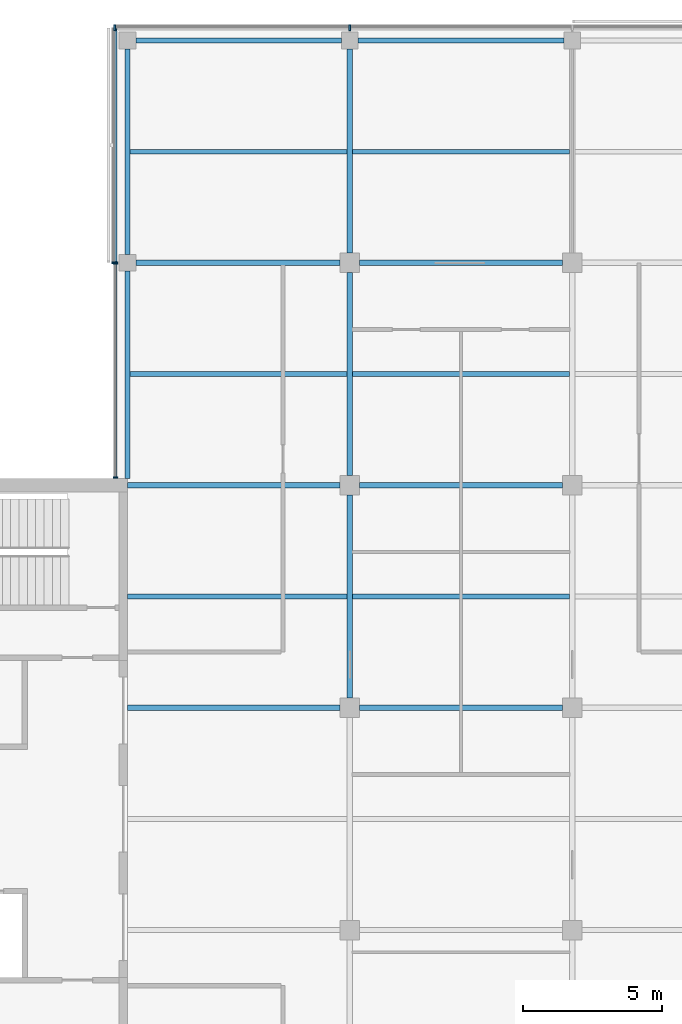
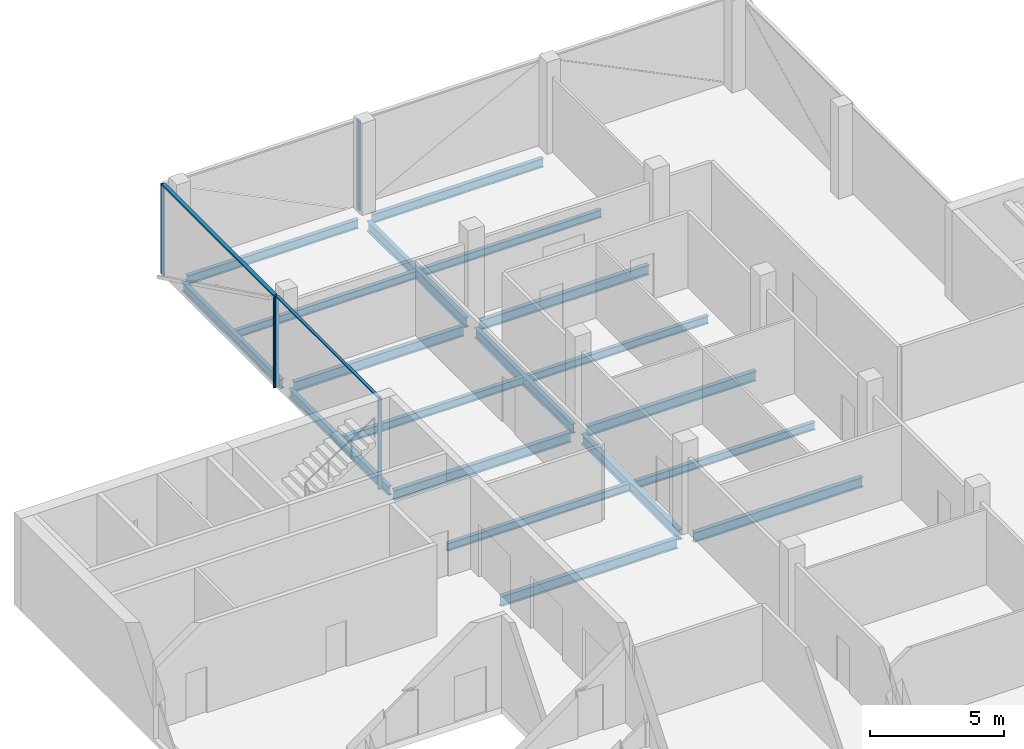
# One storey, part 5 of 15: 19 beams, 7 members, 3 elements without a shape of their own.
"""IFC4 building model written with IfcOpenShell, lengths in metres."""

from ifc_helpers import new_model, si_unit, direction, frame, origin, origin_2d, place, context, subcontext, project, spatial, rectangle, i_section, extrude, material, material_profile, profile_set, type_object, element, aggregate, save


model = new_model("IFC4")

# Units and contexts
model_context = context("Model", 3, precision=1e-05, world=origin(), true_north=direction((0.0, 1.0)))
body_context = subcontext(model_context, "Body", "Model", "MODEL_VIEW")
ifc_project = project(units=[si_unit("LENGTHUNIT", "METRE"), si_unit("AREAUNIT", "SQUARE_METRE"), si_unit("VOLUMEUNIT", "CUBIC_METRE"), si_unit("PLANEANGLEUNIT", "RADIAN"), si_unit("MASSUNIT", "GRAM", prefix="KILO")], contexts=[model_context])

# Site, building, storey
site_placement = place(None, origin())
site = spatial("IfcSite", under=ifc_project, at=site_placement, CompositionType="ELEMENT")
building_placement = place(site_placement, origin())
building = spatial("IfcBuilding", under=site, at=building_placement, Name="Crosswind Convention Tower", CompositionType="ELEMENT")
storey_placement = place(building_placement, frame((0.0, 0.0, 266.10009765625)))
storey = spatial("IfcBuildingStorey", under=building, at=storey_placement, Name="L57", CompositionType="ELEMENT", Elevation=266.10009765625)

# Beams
ifc_material_1 = material(Name="Steel S355", Category="steel")
ifc_material_profile_1 = material_profile(ifc_material_1, i_section(OverallWidth=0.177734375, OverallDepth=0.406494140625, WebThickness=0.0078125, FlangeThickness=0.0126953125, FilletRadius=0.01025390625, at=origin_2d()), Name="UB 406x178x60")
ifc_profile_set_1 = profile_set([ifc_material_profile_1], Name="Steel S355")
beam_type_1 = type_object("IfcBeamType", Name="Edge beam UB 406x178x60", PredefinedType="SPANDREL", material=ifc_profile_set_1)
beam_1_placement = place(storey_placement, frame((113.0, 112.25, -0.50341796875), z_axis=(0.0, 1.0, 0.0), x_axis=(-1.0, 0.0, 0.0)))
element("IfcBeam", 1, at=beam_1_placement, inside=storey, type_object=beam_type_1, Name="B15 L57 edge beam 3", PredefinedType="SPANDREL", context=body_context, shape_type="SweptSolid", body=[
    extrude(i_section(OverallWidth=0.177734375, OverallDepth=0.406494140625, WebThickness=0.0078125, FlangeThickness=0.0126953125, FilletRadius=0.01025390625, at=origin_2d()), origin(), (0.0, 0.0, 1.0), 7.449951171875),
])
for number, where, z_axis, x_axis, name in (
    (2, (113.0, 120.300048828125, -0.50341796875), (0.0, 1.0, 0.0), (-1.0, 0.0, 0.0), "B15 L57 edge beam 4"),
    (3, (113.300048828125, 128.0, -0.50341796875), (1.0, 0.0, 0.0), (0.0, 1.0, 0.0), "B15 L57 edge beam 6"),
    (4, (121.300048828125, 128.0, -0.50341796875), (1.0, 0.0, 0.0), (0.0, 1.0, 0.0), "B15 L57 edge beam 8"),
):
    element("IfcBeam", number, at=place(storey_placement, frame(where, z_axis=z_axis, x_axis=x_axis)), inside=storey, type_object=beam_type_1, Name=name, PredefinedType="SPANDREL", context=body_context, shape_type="SweptSolid", body=[
        extrude(i_section(OverallWidth=0.177734375, OverallDepth=0.406494140625, WebThickness=0.0078125, FlangeThickness=0.0126953125, FilletRadius=0.01025390625, at=origin_2d()), origin(), (0.0, 0.0, 1.0), 7.39990234375),
    ])
ifc_material_profile_2 = material_profile(ifc_material_1, i_section(OverallWidth=0.18994140625, OverallDepth=0.45361328125, WebThickness=0.008544921875, FlangeThickness=0.0126953125, FilletRadius=0.01025390625, at=origin_2d()), Name="UB 457x191x67")
ifc_profile_set_2 = profile_set([ifc_material_profile_2], Name="Steel S355")
beam_type_2 = type_object("IfcBeamType", Name="Girder UB 457x191x67", PredefinedType="BEAM", material=ifc_profile_set_2)
beam_2_placement = place(storey_placement, frame((113.300048828125, 120.0, -0.52685546875), z_axis=(1.0, 0.0, 0.0), x_axis=(0.0, 1.0, 0.0)))
element("IfcBeam", 5, at=beam_2_placement, inside=storey, type_object=beam_type_2, Name="B1 L57 girder 2", PredefinedType="BEAM", context=body_context, shape_type="SweptSolid", body=[
    extrude(i_section(OverallWidth=0.18994140625, OverallDepth=0.45361328125, WebThickness=0.008544921875, FlangeThickness=0.0126953125, FilletRadius=0.01025390625, at=origin_2d()), origin(), (0.0, 0.0, 1.0), 7.349853515625),
])
for number, where, z_axis, x_axis, name in (
    (6, (121.0, 104.35009765625, -0.52685546875), (0.0, 1.0, 0.0), (-1.0, 0.0, 0.0), "B1 L57 girder 7"),
    (7, (121.0, 112.35009765625, -0.52685546875), (0.0, 1.0, 0.0), (-1.0, 0.0, 0.0), "B1 L57 girder 8"),
):
    element("IfcBeam", number, at=place(storey_placement, frame(where, z_axis=z_axis, x_axis=x_axis)), inside=storey, type_object=beam_type_2, Name=name, PredefinedType="BEAM", context=body_context, shape_type="SweptSolid", body=[
        extrude(i_section(OverallWidth=0.18994140625, OverallDepth=0.45361328125, WebThickness=0.008544921875, FlangeThickness=0.0126953125, FilletRadius=0.01025390625, at=origin_2d()), origin(), (0.0, 0.0, 1.0), 7.2998046875),
    ])
beam_3_placement = place(storey_placement, frame((121.0, 120.35009765625, -0.52685546875), z_axis=(0.0, 1.0, 0.0), x_axis=(-1.0, 0.0, 0.0)))
element("IfcBeam", 8, at=beam_3_placement, inside=storey, type_object=beam_type_2, Name="B1 L57 girder 9", PredefinedType="BEAM", context=body_context, shape_type="SweptSolid", body=[
    extrude(i_section(OverallWidth=0.18994140625, OverallDepth=0.45361328125, WebThickness=0.008544921875, FlangeThickness=0.0126953125, FilletRadius=0.01025390625, at=origin_2d()), origin(), (0.0, 0.0, 1.0), 7.349853515625),
])
for number, where, z_axis, x_axis, name in (
    (9, (121.35009765625, 104.0, -0.52685546875), (1.0, 0.0, 0.0), (0.0, 1.0, 0.0), "B1 L57 girder 13"),
    (10, (121.35009765625, 112.0, -0.52685546875), (1.0, 0.0, 0.0), (0.0, 1.0, 0.0), "B1 L57 girder 14"),
    (11, (121.35009765625, 120.0, -0.52685546875), (1.0, 0.0, 0.0), (0.0, 1.0, 0.0), "B1 L57 girder 15"),
):
    element("IfcBeam", number, at=place(storey_placement, frame(where, z_axis=z_axis, x_axis=x_axis)), inside=storey, type_object=beam_type_2, Name=name, PredefinedType="BEAM", context=body_context, shape_type="SweptSolid", body=[
        extrude(i_section(OverallWidth=0.18994140625, OverallDepth=0.45361328125, WebThickness=0.008544921875, FlangeThickness=0.0126953125, FilletRadius=0.01025390625, at=origin_2d()), origin(), (0.0, 0.0, 1.0), 7.2998046875),
    ])
ifc_material_profile_3 = material_profile(ifc_material_1, i_section(OverallWidth=0.1904296875, OverallDepth=0.457275390625, WebThickness=0.009033203125, FlangeThickness=0.014404296875, FilletRadius=0.01025390625, at=origin_2d()), Name="UB 457x191x75")
ifc_profile_set_3 = profile_set([ifc_material_profile_3], Name="Steel S355")
beam_type_3 = type_object("IfcBeamType", Name="Girder at core wall UB 457x191x75", PredefinedType="BEAM", material=ifc_profile_set_3)
for number, where, z_axis, x_axis, name in (
    (12, (113.0, 104.0, -0.52880859375), (1.0, 0.0, 0.0), (0.0, 1.0, 0.0), "B22 L57 girder at core wall 3"),
    (13, (113.0, 112.0, -0.52880859375), (1.0, 0.0, 0.0), (0.0, 1.0, 0.0), "B22 L57 girder at core wall 4"),
):
    element("IfcBeam", number, at=place(storey_placement, frame(where, z_axis=z_axis, x_axis=x_axis)), inside=storey, type_object=beam_type_3, Name=name, PredefinedType="BEAM", context=body_context, shape_type="SweptSolid", body=[
        extrude(i_section(OverallWidth=0.1904296875, OverallDepth=0.457275390625, WebThickness=0.009033203125, FlangeThickness=0.014404296875, FilletRadius=0.01025390625, at=origin_2d()), origin(), (0.0, 0.0, 1.0), 7.64990234375),
    ])

# Curtain wall, members
ifc_material_2 = material(Name="Aluminium unitised curtain wall", Category="aluminium")
curtain_wall_type_1 = type_object("IfcCurtainWallType", Name="CORE END SLOT WALL 160", PredefinedType="USERDEFINED", material=ifc_material_2)
curtain_wall_1_placement = place(storey_placement, origin())
curtain_wall_1 = element("IfcCurtainWall", 14, at=curtain_wall_1_placement, inside=storey, type_object=curtain_wall_type_1, Name="CW6 L57 N-W.1-2 slot", ObjectType="UNITISED", PredefinedType="USERDEFINED")
ifc_material_3 = material(Name="Aluminium mullion", Category="aluminium")
ifc_material_profile_4 = material_profile(ifc_material_3, rectangle(XDim=0.159912109375, YDim=0.050048828125, at=origin_2d()), Name="AL 160X50")
ifc_profile_set_4 = profile_set([ifc_material_profile_4], Name="Aluminium mullion")
member_type_1 = type_object("IfcMemberType", Name="MULLION 50X160", PredefinedType="MULLION", material=ifc_profile_set_4)
member_1_placement = place(storey_placement, frame((112.570068359375, 119.97509765625, -0.300048828125), z_axis=(0.0, 0.0, 1.0), x_axis=(-1.0, 0.0, 0.0)))
member_1 = element("IfcMember", 15, at=member_1_placement, type_object=member_type_1, Name="CW6 mullion 1", PredefinedType="MULLION", context=body_context, shape_type="SweptSolid", body=[
    extrude(rectangle(XDim=0.159912109375, YDim=0.050048828125, at=origin_2d()), origin(), (0.0, 0.0, 1.0), 4.14990234375),
])
member_2_placement = place(storey_placement, frame((112.570068359375, 112.27490234375, -0.300048828125), z_axis=(0.0, 0.0, 1.0), x_axis=(-1.0, 0.0, 0.0)))
member_2 = element("IfcMember", 16, at=member_2_placement, type_object=member_type_1, Name="CW6 mullion 2", PredefinedType="MULLION", context=body_context, shape_type="SweptSolid", body=[
    extrude(rectangle(XDim=0.159912109375, YDim=0.050048828125, at=origin_2d()), origin(), (0.0, 0.0, 1.0), 4.14990234375),
])

curtain_wall_type_2 = type_object("IfcCurtainWallType", Name="OFFICE UNITISED WALL 220", PredefinedType="USERDEFINED", material=ifc_material_2)
curtain_wall_2_placement = place(storey_placement, origin())
curtain_wall_2 = element("IfcCurtainWall", 17, at=curtain_wall_2_placement, inside=storey, type_object=curtain_wall_type_2, Name="CW3 L57 N-TIP 1", ObjectType="UNITISED", PredefinedType="USERDEFINED")
ifc_material_profile_5 = material_profile(ifc_material_3, rectangle(XDim=0.219970703125, YDim=0.070068359375, at=origin_2d()), Name="AL 220X70")
ifc_profile_set_5 = profile_set([ifc_material_profile_5], Name="Aluminium mullion")
member_type_2 = type_object("IfcMemberType", Name="MULLION 70X220", PredefinedType="MULLION", material=ifc_profile_set_5)
member_3_placement = place(storey_placement, frame((121.0, 128.4599609375, -0.300048828125), z_axis=(0.0, 0.0, 1.0), x_axis=(0.0, 1.0, 0.0)))
member_3 = element("IfcMember", 18, at=member_3_placement, type_object=member_type_2, Name="CW3 mullion 3", PredefinedType="MULLION", context=body_context, shape_type="SweptSolid", body=[
    extrude(rectangle(XDim=0.219970703125, YDim=0.070068359375, at=origin_2d()), origin(), (0.0, 0.0, 1.0), 4.1298828125),
])
member_4_placement = place(storey_placement, frame((112.5400390625, 128.4599609375, -0.300048828125), z_axis=(0.0, 0.0, 1.0), x_axis=(0.0, 1.0, 0.0)))
member_4 = element("IfcMember", 19, at=member_4_placement, type_object=member_type_2, Name="CW3 mullion 4", PredefinedType="MULLION", context=body_context, shape_type="SweptSolid", body=[
    extrude(rectangle(XDim=0.219970703125, YDim=0.070068359375, at=origin_2d()), origin(), (0.0, 0.0, 1.0), 4.1298828125),
])
aggregate(curtain_wall_2, [member_3, member_4])

# Curtain wall, member
curtain_wall_3_placement = place(storey_placement, origin())
curtain_wall_3 = element("IfcCurtainWall", 20, at=curtain_wall_3_placement, inside=storey, type_object=curtain_wall_type_2, Name="CW3 L57 N-W 1", ObjectType="UNITISED", PredefinedType="USERDEFINED")
member_5_placement = place(storey_placement, frame((112.5400390625, 120.0, -0.300048828125), z_axis=(0.0, 0.0, 1.0), x_axis=(-1.0, 0.0, 0.0)))
member_5 = element("IfcMember", 21, at=member_5_placement, type_object=member_type_2, Name="CW3 mullion 2", PredefinedType="MULLION", context=body_context, shape_type="SweptSolid", body=[
    extrude(rectangle(XDim=0.219970703125, YDim=0.070068359375, at=origin_2d()), origin(), (0.0, 0.0, 1.0), 4.1298828125),
])

# Beams
ifc_material_profile_6 = material_profile(ifc_material_1, i_section(OverallWidth=0.17138671875, OverallDepth=0.355712890625, WebThickness=0.00732421875, FlangeThickness=0.011474609375, FilletRadius=0.01025390625, at=origin_2d()), Name="UB 356x171x51")
ifc_profile_set_6 = profile_set([ifc_material_profile_6], Name="Steel S355")
beam_type_4 = type_object("IfcBeamType", Name="Secondary beam UB 356x171x51", PredefinedType="JOIST", material=ifc_profile_set_6)
beam_4_placement = place(storey_placement, frame((113.0, 108.0, -0.477783203125), z_axis=(1.0, 0.0, 0.0), x_axis=(0.0, 1.0, 0.0)))
element("IfcBeam", 22, at=beam_4_placement, inside=storey, type_object=beam_type_4, Name="B8 L57 secondary beam 3", PredefinedType="JOIST", context=body_context, shape_type="SweptSolid", body=[
    extrude(i_section(OverallWidth=0.17138671875, OverallDepth=0.355712890625, WebThickness=0.00732421875, FlangeThickness=0.011474609375, FilletRadius=0.01025390625, at=origin_2d()), origin(), (0.0, 0.0, 1.0), 7.905029296875),
])
for number, where, z_axis, x_axis, name in (
    (23, (113.0888671875, 116.0, -0.477783203125), (1.0, 0.0, 0.0), (0.0, 1.0, 0.0), "B8 L57 secondary beam 6"),
    (24, (113.0888671875, 124.0, -0.477783203125), (1.0, 0.0, 0.0), (0.0, 1.0, 0.0), "B8 L57 secondary beam 7"),
):
    element("IfcBeam", number, at=place(storey_placement, frame(where, z_axis=z_axis, x_axis=x_axis)), inside=storey, type_object=beam_type_4, Name=name, PredefinedType="JOIST", context=body_context, shape_type="SweptSolid", body=[
        extrude(i_section(OverallWidth=0.17138671875, OverallDepth=0.355712890625, WebThickness=0.00732421875, FlangeThickness=0.011474609375, FilletRadius=0.01025390625, at=origin_2d()), origin(), (0.0, 0.0, 1.0), 7.816162109375),
    ])
for number, where, z_axis, x_axis, name in (
    (25, (121.094970703125, 108.0, -0.477783203125), (1.0, 0.0, 0.0), (0.0, 1.0, 0.0), "B8 L57 secondary beam 12"),
    (26, (121.094970703125, 116.0, -0.477783203125), (1.0, 0.0, 0.0), (0.0, 1.0, 0.0), "B8 L57 secondary beam 13"),
    (27, (121.094970703125, 124.0, -0.477783203125), (1.0, 0.0, 0.0), (0.0, 1.0, 0.0), "B8 L57 secondary beam 14"),
):
    element("IfcBeam", number, at=place(storey_placement, frame(where, z_axis=z_axis, x_axis=x_axis)), inside=storey, type_object=beam_type_4, Name=name, PredefinedType="JOIST", context=body_context, shape_type="SweptSolid", body=[
        extrude(i_section(OverallWidth=0.17138671875, OverallDepth=0.355712890625, WebThickness=0.00732421875, FlangeThickness=0.011474609375, FilletRadius=0.01025390625, at=origin_2d()), origin(), (0.0, 0.0, 1.0), 7.81005859375),
    ])

# Member
ifc_material_4 = material(Name="Aluminium transom", Category="aluminium")
ifc_material_profile_7 = material_profile(ifc_material_4, rectangle(XDim=0.1201171875, YDim=0.050048828125, at=origin_2d()), Name="AL 120X50")
ifc_profile_set_7 = profile_set([ifc_material_profile_7], Name="Aluminium transom")
member_type_3 = type_object("IfcMemberType", Name="TRANSOM 50X120", PredefinedType="USERDEFINED", material=ifc_profile_set_7)
member_6_placement = place(storey_placement, frame((112.570068359375, 119.949951171875, 3.875), z_axis=(0.0, -1.0, 0.0), x_axis=(1.0, 0.0, 0.0)))
member_6 = element("IfcMember", 28, at=member_6_placement, type_object=member_type_3, Name="CW6 transom", ObjectType="TRANSOM", PredefinedType="USERDEFINED", context=body_context, shape_type="SweptSolid", body=[
    extrude(rectangle(XDim=0.1201171875, YDim=0.050048828125, at=origin_2d()), origin(), (0.0, 0.0, 1.0), 7.64990234375),
])

aggregate(curtain_wall_1, [member_1, member_2, member_6])

ifc_material_profile_8 = material_profile(ifc_material_4, rectangle(XDim=0.159912109375, YDim=0.070068359375, at=origin_2d()), Name="AL 160X70")
ifc_profile_set_8 = profile_set([ifc_material_profile_8], Name="Aluminium transom")
member_type_4 = type_object("IfcMemberType", Name="TRANSOM 70X160", PredefinedType="USERDEFINED", material=ifc_profile_set_8)
member_7_placement = place(storey_placement, frame((112.5400390625, 128.425048828125, 3.864990234375), z_axis=(0.0, -1.0, 0.0), x_axis=(1.0, 0.0, 0.0)))
member_7 = element("IfcMember", 29, at=member_7_placement, type_object=member_type_4, Name="CW3 transom", ObjectType="TRANSOM", PredefinedType="USERDEFINED", context=body_context, shape_type="SweptSolid", body=[
    extrude(rectangle(XDim=0.159912109375, YDim=0.070068359375, at=origin_2d()), origin(), (0.0, 0.0, 1.0), 8.39013671875),
])

aggregate(curtain_wall_3, [member_5, member_7])

save(model, "model.ifc")
